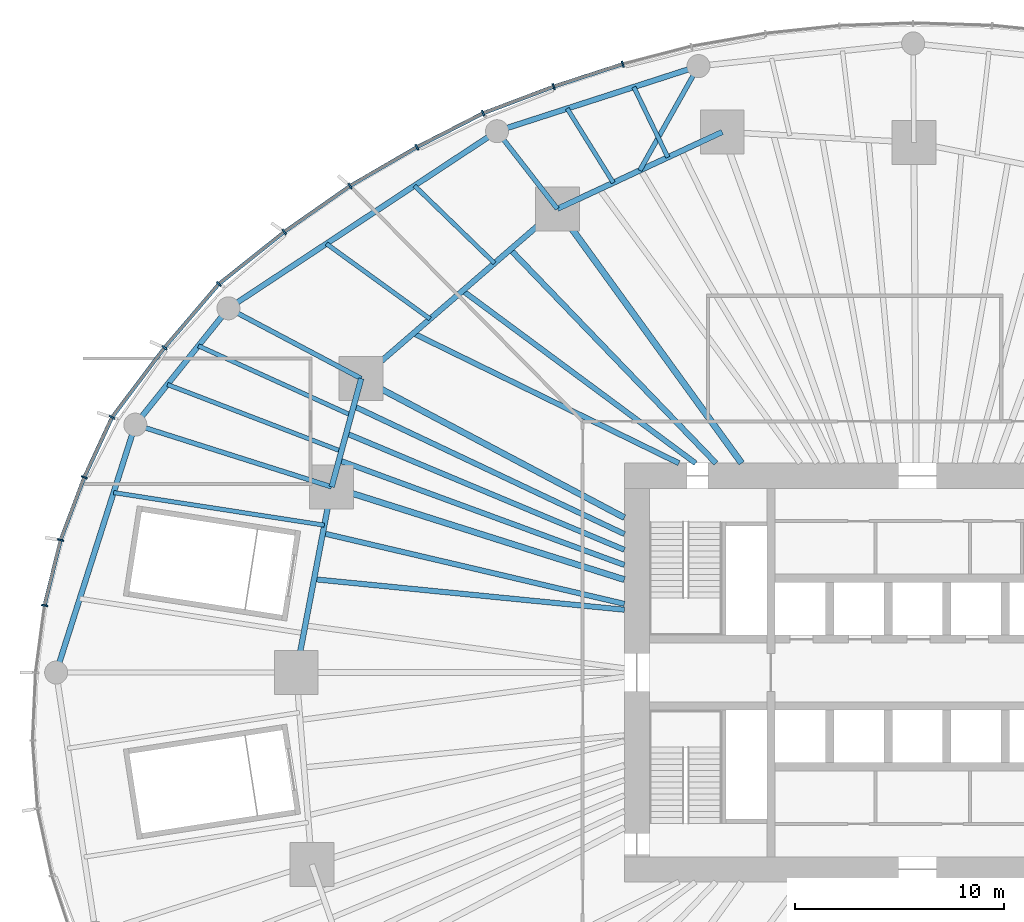
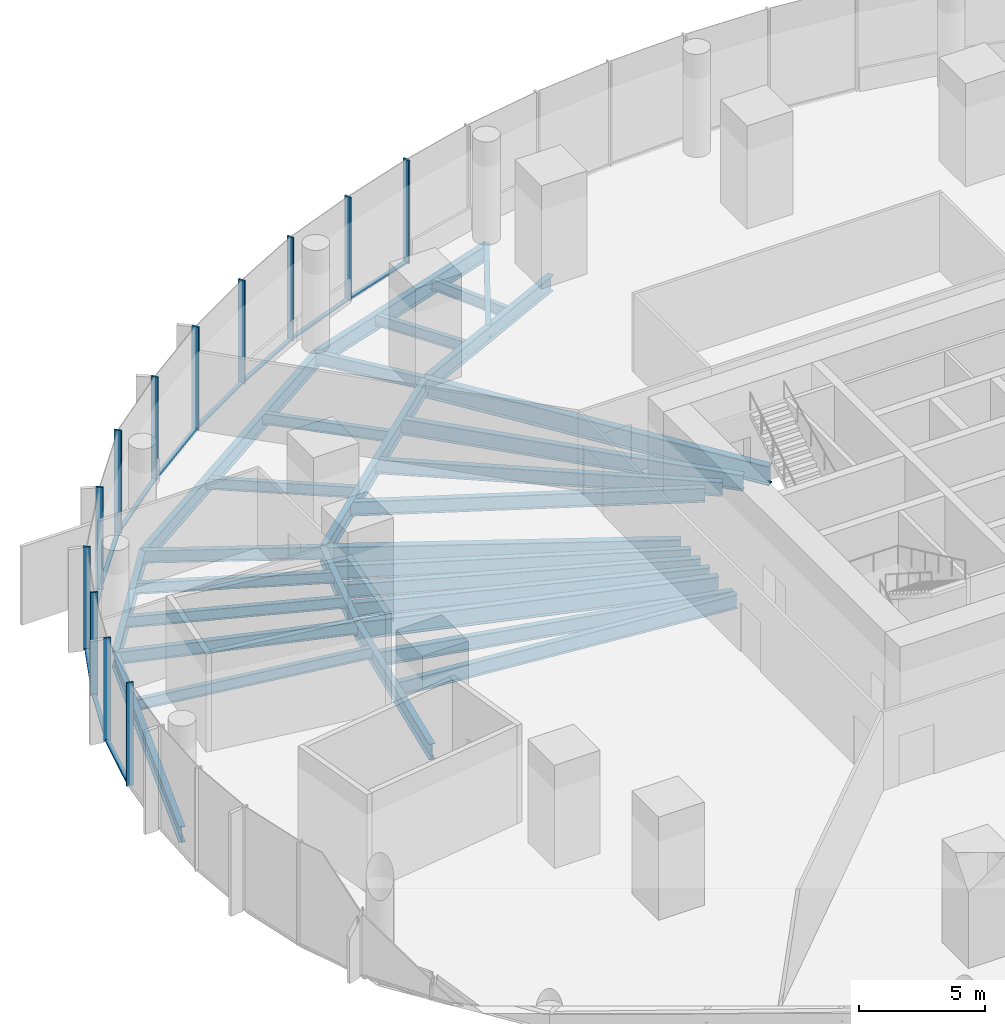
# One storey, part 5 of 27: 30 beams, 23 members, 4 elements without a shape of their own.
"""IFC4 building model written with IfcOpenShell, lengths in metres."""

import ifcopenshell
import ifcopenshell.guid

model = None  # the IFC model being written
_history = None  # IfcOwnerHistory: only IFC2X3 demands one
_inside = {}  # id of a spatial element -> (the spatial element, [elements in it])
_under = {}  # id of a project, library or spatial element -> (it, [spatial elements below it])
_declared = {}  # id of a project -> (the project, [libraries it declares])
_typed = {}  # id of a type object -> (the type object, [elements of that type])
_made_of = {}  # id of a material, layer set ... -> (it, [elements and type objects made of it])


def new_model(schema):
    """Start an empty IFC model of exactly this schema.

    Asked for "IFC4X3", IfcOpenShell would pick the latest addendum, in which some entities
    have other attributes; the version numbers below select the first issue.
    IFC2X3 requires an IfcOwnerHistory on every rooted entity: one is made here for all.
    """
    global model, _history
    if schema == "IFC4X3":
        model = ifcopenshell.file(schema_version=(4, 3, 0, 0))
    else:
        model = ifcopenshell.file(schema=schema)
    _inside.clear()
    _under.clear()
    _declared.clear()
    _typed.clear()
    _made_of.clear()
    _history = None
    if model.schema == "IFC2X3":
        org = make("IfcOrganization", Name="unknown")
        user = make(
            "IfcPersonAndOrganization",
            ThePerson=make("IfcPerson", FamilyName="unknown"),
            TheOrganization=org,
        )
        app = make(
            "IfcApplication",
            ApplicationDeveloper=org,
            Version="unknown",
            ApplicationFullName="unknown",
            ApplicationIdentifier="unknown",
        )
        _history = make(
            "IfcOwnerHistory",
            OwningUser=user,
            OwningApplication=app,
            ChangeAction="ADDED",
            CreationDate=0,
        )
    return model


def make(cls, **values):
    """One entity of the class cls with the attributes given. An attribute that is None is left unset."""
    return model.create_entity(
        cls, **{name: value for name, value in values.items() if value is not None}
    )


def rooted(cls, **values):
    """An entity with a GlobalId (a new one), such as an element, a storey or a relation."""
    return make(cls, GlobalId=ifcopenshell.guid.new(), OwnerHistory=_history, **values)


def si_unit(unit_type, name, prefix=None):
    """IfcSIUnit, for example si_unit("LENGTHUNIT", "METRE", prefix="MILLI")."""
    return make("IfcSIUnit", UnitType=unit_type, Prefix=prefix, Name=name)


def assignment(units):
    """IfcUnitAssignment: the units of a project."""
    return None if units is None else make("IfcUnitAssignment", Units=units)


def point(xyz):
    """IfcCartesianPoint."""
    return None if xyz is None else make("IfcCartesianPoint", Coordinates=xyz)


def direction(xyz):
    """IfcDirection."""
    return None if xyz is None else make("IfcDirection", DirectionRatios=xyz)


def frame(location, z_axis=None, x_axis=None):
    """IfcAxis2Placement3D, a coordinate frame: its origin and axes. An axis left out is left unset."""
    return make(
        "IfcAxis2Placement3D",
        Location=point(location),
        Axis=direction(z_axis),
        RefDirection=direction(x_axis),
    )


def frame_2d(location, x_axis=None):
    """IfcAxis2Placement2D, a coordinate frame in the plane: its origin and x axis."""
    return make(
        "IfcAxis2Placement2D", Location=point(location), RefDirection=direction(x_axis)
    )


def origin():
    """The frame at (0, 0, 0) with its axes left unset."""
    return frame((0.0, 0.0, 0.0))


def origin_2d():
    """The frame at (0, 0) in the plane with its x axis left unset."""
    return frame_2d((0.0, 0.0))


def place(relative_to, where):
    """IfcLocalPlacement: puts the frame where relative to a parent placement (None: the world)."""
    return make(
        "IfcLocalPlacement", PlacementRelTo=relative_to, RelativePlacement=where
    )


def context(
    kind, dimensions, precision=None, world=None, true_north=None, identifier=None
):
    """IfcGeometricRepresentationContext, for example the 3D "Model" context."""
    return make(
        "IfcGeometricRepresentationContext",
        ContextIdentifier=identifier,
        ContextType=kind,
        CoordinateSpaceDimension=dimensions,
        Precision=precision,
        WorldCoordinateSystem=world,
        TrueNorth=true_north,
    )


def subcontext(parent, identifier, kind, view, scale=None):
    """IfcGeometricRepresentationSubContext, for example "Body" below "Model"."""
    return make(
        "IfcGeometricRepresentationSubContext",
        ContextIdentifier=identifier,
        ContextType=kind,
        ParentContext=parent,
        TargetScale=scale,
        TargetView=view,
    )


def project(units=None, contexts=None):
    """IfcProject with its units and contexts."""
    return rooted(
        "IfcProject",
        Name="project",
        RepresentationContexts=contexts,
        UnitsInContext=assignment(units),
    )


def spatial(cls, under=None, at=None, **own):
    """A site, building, storey or space (cls), placed at a placement, below another one or the project."""
    s = rooted(cls, ObjectPlacement=at, **own)
    if under is not None:
        _under.setdefault(under.id(), (under, []))[1].append(s)
    return s


def profile(cls, at=None, kind="AREA", **sizes):
    """A parametric profile (cls). Its sizes go by their IFC names, for example OverallWidth=200.0."""
    return make(cls, ProfileType=kind, Position=at, **sizes)


def rectangle(**sizes):
    """IfcRectangleProfileDef."""
    return profile("IfcRectangleProfileDef", **sizes)


def i_section(**sizes):
    """IfcIShapeProfileDef."""
    return profile("IfcIShapeProfileDef", **sizes)


def extrude(swept, where, along, depth):
    """IfcExtrudedAreaSolid: the profile swept, set in the frame where, extruded along a direction by depth."""
    return make(
        "IfcExtrudedAreaSolid",
        SweptArea=swept,
        Position=where,
        ExtrudedDirection=direction(along),
        Depth=depth,
    )


def shape(context_of_items, identifier, shape_type, items):
    """IfcShapeRepresentation: the items that make up one representation, for example the "Body"."""
    return make(
        "IfcShapeRepresentation",
        ContextOfItems=context_of_items,
        RepresentationIdentifier=identifier,
        RepresentationType=shape_type,
        Items=items,
    )


def material(Name=None, Category=None):
    """IfcMaterial."""
    return make("IfcMaterial", Name=Name, Category=Category)


def material_profile(
    of_material, cross_section, Name=None, Category=None, Priority=None
):
    """IfcMaterialProfile: a cross section and its material."""
    return make(
        "IfcMaterialProfile",
        Name=Name,
        Material=of_material,
        Profile=cross_section,
        Priority=Priority,
        Category=Category,
    )


def profile_set(profiles, Name=None, composite=None):
    """IfcMaterialProfileSet."""
    return make(
        "IfcMaterialProfileSet",
        Name=Name,
        MaterialProfiles=profiles,
        CompositeProfile=composite,
    )


def made_of(thing, what):
    """Note that an element or type object is made of a material, layer set ...; save() writes the relation."""
    if what is not None:
        _made_of.setdefault(what.id(), (what, []))[1].append(thing)
    return thing


def type_object(cls, material=None, **own):
    """A type object (cls), such as IfcWallType, which elements share."""
    return made_of(rooted(cls, **own), material)


def element(
    cls,
    number,
    at=None,
    inside=None,
    cuts=None,
    type_object=None,
    material=None,
    context=None,
    identifier="Body",
    shape_type=None,
    held_by="IfcProductDefinitionShape",
    body=None,
    shapes=None,
    **own,
):
    """One element of the class cls, such as IfcWall. Its Tag is "e" and its number.

    at: its placement. inside: the storey or other place that contains it. cuts: it is an
    opening in that element (IfcRelVoidsElement). A single representation is given by context,
    identifier, shape_type and body (its items); several are given by shapes. held_by: the class
    of the entity that holds the representations. save() writes the other relations.
    """
    e = rooted(cls, Tag="e%d" % number, ObjectPlacement=at, **own)
    if body is not None:
        shapes = [shape(context, identifier, shape_type, body)]
    if shapes is not None:
        e.Representation = make(held_by, Representations=shapes)
    if inside is not None:
        _inside.setdefault(inside.id(), (inside, []))[1].append(e)
    if cuts is not None:
        rooted(
            "IfcRelVoidsElement", RelatingBuildingElement=cuts, RelatedOpeningElement=e
        )
    if type_object is not None:
        _typed.setdefault(type_object.id(), (type_object, []))[1].append(e)
    return made_of(e, material)


def aggregate(whole, parts):
    """IfcRelAggregates: a whole, such as a stair, and the parts it consists of."""
    return rooted("IfcRelAggregates", RelatingObject=whole, RelatedObjects=parts)


def save(model, path):
    """Write the relations noted so far, then the file.

    IfcRelAggregates (storeys below a building ...), IfcRelContainedInSpatialStructure (elements
    in a storey), IfcRelDefinesByType, IfcRelAssociatesMaterial and IfcRelDeclares: one each for
    every whole, place, type object, material and project.
    """
    for whole, parts in _under.values():
        aggregate(whole, parts)
    for where, things in _inside.values():
        rooted(
            "IfcRelContainedInSpatialStructure",
            RelatedElements=things,
            RelatingStructure=where,
        )
    for kind, things in _typed.values():
        rooted("IfcRelDefinesByType", RelatedObjects=things, RelatingType=kind)
    for what, things in _made_of.values():
        rooted("IfcRelAssociatesMaterial", RelatedObjects=things, RelatingMaterial=what)
    for by, libraries in _declared.values():
        rooted("IfcRelDeclares", RelatingContext=by, RelatedDefinitions=libraries)
    model.write(path)


model = new_model("IFC4")

# Units and contexts
model_context = context("Model", 3, precision=1e-05, world=origin(), true_north=direction((0.0, 1.0)))
body_context = subcontext(model_context, "Body", "Model", "MODEL_VIEW")
ifc_project = project(units=[si_unit("LENGTHUNIT", "METRE"), si_unit("AREAUNIT", "SQUARE_METRE"), si_unit("VOLUMEUNIT", "CUBIC_METRE"), si_unit("PLANEANGLEUNIT", "RADIAN"), si_unit("MASSUNIT", "GRAM", prefix="KILO")], contexts=[model_context])

# Site, building, storey
site_placement = place(None, origin())
site = spatial("IfcSite", under=ifc_project, at=site_placement, CompositionType="ELEMENT")
building_placement = place(site_placement, origin())
building = spatial("IfcBuilding", under=site, at=building_placement, Name="Ghaith Harvest Tower", CompositionType="ELEMENT")
storey_placement = place(building_placement, frame((0.0, 0.0, 10.0)))
storey = spatial("IfcBuildingStorey", under=building, at=storey_placement, Name="L02", CompositionType="ELEMENT", Elevation=10.0)

# Curtain wall, members
ifc_material_1 = material(Name="Black anodised aluminium and fritted glass", Category="aluminium")
curtain_wall_type = type_object("IfcCurtainWallType", Name="CW-P CURTAIN WALL", PredefinedType="NOTDEFINED", material=ifc_material_1)
curtain_wall_1_placement = place(storey_placement, origin())
curtain_wall_1 = element("IfcCurtainWall", 1, at=curtain_wall_1_placement, inside=storey, type_object=curtain_wall_type, Name="Curtain wall CW-P bay 07 L02", PredefinedType="NOTDEFINED")
ifc_material_2 = material(Name="Aluminium, black anodised", Category="aluminium")
ifc_material_profile_1 = material_profile(ifc_material_2, rectangle(XDim=0.080078125, YDim=0.300048828125, at=origin_2d()), Name="CW-P MULLION 80x300")
ifc_profile_set_1 = profile_set([ifc_material_profile_1], Name="Aluminium, black anodised")
member_type_1 = type_object("IfcMemberType", Name="CW-P MULLION 80x300", PredefinedType="MULLION", material=ifc_profile_set_1)
member_1_placement = place(storey_placement, frame((-14.079345703125, 29.059326171875, 0.0), z_axis=(0.0, 0.0, 1.0), x_axis=(-0.959733294702, -0.280912803269, 0.0)))
member_1 = element("IfcMember", 2, at=member_1_placement, type_object=member_type_1, Name="CW-P mullion 2 bay 07 L02", PredefinedType="MULLION", context=body_context, shape_type="SweptSolid", body=[
    extrude(rectangle(XDim=0.080078125, YDim=0.300048828125, at=origin_2d()), origin(), (0.0, 0.0, 1.0), 5.0),
])
member_2_placement = place(storey_placement, frame((-17.3798828125, 27.984619140625, 0.0), z_axis=(0.0, 0.0, 1.0), x_axis=(-0.94334262974, -0.331820256939, 0.0)))
member_2 = element("IfcMember", 3, at=member_2_placement, type_object=member_type_1, Name="CW-P mullion 3 bay 07 L02", PredefinedType="MULLION", context=body_context, shape_type="SweptSolid", body=[
    extrude(rectangle(XDim=0.080078125, YDim=0.300048828125, at=origin_2d()), origin(), (0.0, 0.0, 1.0), 5.0),
])

curtain_wall_2_placement = place(storey_placement, origin())
curtain_wall_2 = element("IfcCurtainWall", 4, at=curtain_wall_2_placement, inside=storey, type_object=curtain_wall_type, Name="Curtain wall CW-P bay 08 L02", PredefinedType="NOTDEFINED")
member_3_placement = place(storey_placement, frame((-20.7470703125, 26.714111328125, 0.0), z_axis=(0.0, 0.0, 1.0), x_axis=(-0.914421812296, -0.404762583741, 0.0)))
member_3 = element("IfcMember", 5, at=member_3_placement, type_object=member_type_1, Name="CW-P mullion 1 bay 08 L02", PredefinedType="MULLION", context=body_context, shape_type="SweptSolid", body=[
    extrude(rectangle(XDim=0.080078125, YDim=0.300048828125, at=origin_2d()), origin(), (0.0, 0.0, 1.0), 5.0),
])
member_4_placement = place(storey_placement, frame((-23.907958984375, 25.094970703125, 0.0), z_axis=(0.0, 0.0, 1.0), x_axis=(-0.877556447105, -0.479473338304, 0.0)))
member_4 = element("IfcMember", 6, at=member_4_placement, type_object=member_type_1, Name="CW-P mullion 2 bay 08 L02", PredefinedType="MULLION", context=body_context, shape_type="SweptSolid", body=[
    extrude(rectangle(XDim=0.080078125, YDim=0.300048828125, at=origin_2d()), origin(), (0.0, 0.0, 1.0), 5.0),
])
member_5_placement = place(storey_placement, frame((-27.105712890625, 23.23974609375, 0.0), z_axis=(0.0, 0.0, 1.0), x_axis=(-0.842539326136, -0.538634833551, 0.0)))
member_5 = element("IfcMember", 7, at=member_5_placement, type_object=member_type_1, Name="CW-P mullion 3 bay 08 L02", PredefinedType="MULLION", context=body_context, shape_type="SweptSolid", body=[
    extrude(rectangle(XDim=0.080078125, YDim=0.300048828125, at=origin_2d()), origin(), (0.0, 0.0, 1.0), 5.0),
])

curtain_wall_3_placement = place(storey_placement, origin())
curtain_wall_3 = element("IfcCurtainWall", 8, at=curtain_wall_3_placement, inside=storey, type_object=curtain_wall_type, Name="Curtain wall CW-P bay 09 L02", PredefinedType="NOTDEFINED")
member_6_placement = place(storey_placement, frame((-30.244140625, 21.044189453125, 0.0), z_axis=(0.0, 0.0, 1.0), x_axis=(-0.801048242274, -0.598599794144, 0.0)))
member_6 = element("IfcMember", 9, at=member_6_placement, type_object=member_type_1, Name="CW-P mullion 1 bay 09 L02", PredefinedType="MULLION", context=body_context, shape_type="SweptSolid", body=[
    extrude(rectangle(XDim=0.080078125, YDim=0.300048828125, at=origin_2d()), origin(), (0.0, 0.0, 1.0), 5.0),
])
member_7_placement = place(storey_placement, frame((-33.369384765625, 18.559326171875, 0.0), z_axis=(0.0, 0.0, 1.0), x_axis=(-0.719189125668, -0.694814364792, 0.0)))
member_7 = element("IfcMember", 10, at=member_7_placement, type_object=member_type_1, Name="CW-P mullion 2 bay 09 L02", PredefinedType="MULLION", context=body_context, shape_type="SweptSolid", body=[
    extrude(rectangle(XDim=0.080078125, YDim=0.300048828125, at=origin_2d()), origin(), (0.0, 0.0, 1.0), 5.0),
])
member_8_placement = place(storey_placement, frame((-35.967529296875, 15.5146484375, 0.0), z_axis=(0.0, 0.0, 1.0), x_axis=(-0.625229278886, -0.780441124509, 0.0)))
member_8 = element("IfcMember", 11, at=member_8_placement, type_object=member_type_1, Name="CW-P mullion 3 bay 09 L02", PredefinedType="MULLION", context=body_context, shape_type="SweptSolid", body=[
    extrude(rectangle(XDim=0.080078125, YDim=0.300048828125, at=origin_2d()), origin(), (0.0, 0.0, 1.0), 5.0),
])

curtain_wall_4_placement = place(storey_placement, origin())
curtain_wall_4 = element("IfcCurtainWall", 12, at=curtain_wall_4_placement, inside=storey, type_object=curtain_wall_type, Name="Curtain wall CW-P bay 10 L02", PredefinedType="NOTDEFINED")
member_9_placement = place(storey_placement, frame((-38.47021484375, 12.19189453125, 0.0), z_axis=(0.0, 0.0, 1.0), x_axis=(-0.526041997483, -0.850458592104, 0.0)))
member_9 = element("IfcMember", 13, at=member_9_placement, type_object=member_type_1, Name="CW-P mullion 1 bay 10 L02", PredefinedType="MULLION", context=body_context, shape_type="SweptSolid", body=[
    extrude(rectangle(XDim=0.080078125, YDim=0.300048828125, at=origin_2d()), origin(), (0.0, 0.0, 1.0), 5.0),
])
member_10_placement = place(storey_placement, frame((-39.7958984375, 9.325439453125, 0.0), z_axis=(0.0, 0.0, 1.0), x_axis=(-0.386148009644, -0.922436835045, 0.0)))
member_10 = element("IfcMember", 14, at=member_10_placement, type_object=member_type_1, Name="CW-P mullion 2 bay 10 L02", PredefinedType="MULLION", context=body_context, shape_type="SweptSolid", body=[
    extrude(rectangle(XDim=0.080078125, YDim=0.300048828125, at=origin_2d()), origin(), (0.0, 0.0, 1.0), 5.0),
])
member_11_placement = place(storey_placement, frame((-40.92431640625, 6.32958984375, 0.0), z_axis=(0.0, 0.0, 1.0), x_axis=(-0.295966287387, -0.955198386059, 0.0)))
member_11 = element("IfcMember", 15, at=member_11_placement, type_object=member_type_1, Name="CW-P mullion 3 bay 10 L02", PredefinedType="MULLION", context=body_context, shape_type="SweptSolid", body=[
    extrude(rectangle(XDim=0.080078125, YDim=0.300048828125, at=origin_2d()), origin(), (0.0, 0.0, 1.0), 5.0),
])
member_12_placement = place(storey_placement, frame((-41.6923828125, 3.205078125, 0.0), z_axis=(0.0, 0.0, 1.0), x_axis=(-0.185617368048, -0.982622100647, 0.0)))
member_12 = element("IfcMember", 16, at=member_12_placement, type_object=member_type_1, Name="CW-P mullion 4 bay 10 L02", PredefinedType="MULLION", context=body_context, shape_type="SweptSolid", body=[
    extrude(rectangle(XDim=0.080078125, YDim=0.300048828125, at=origin_2d()), origin(), (0.0, 0.0, 1.0), 5.0),
])

# Member
ifc_material_3 = material(Name="Aluminium, black anodised", Category="aluminium")
ifc_material_profile_2 = material_profile(ifc_material_3, rectangle(XDim=0.179931640625, YDim=0.080078125, at=origin_2d()), Name="CW-P TRANSOM 180x80")
ifc_profile_set_2 = profile_set([ifc_material_profile_2], Name="Aluminium, black anodised")
member_type_2 = type_object("IfcMemberType", Name="CW-P TRANSOM 180x80", PredefinedType="USERDEFINED", material=ifc_profile_set_2)
member_13_placement = place(storey_placement, frame((-14.117431640625, 29.046875, 0.0400390625), z_axis=(-0.950870445698, -0.309589075225, 0.0), x_axis=(0.309589075225, -0.950870445698, 0.0)))
member_13 = element("IfcMember", 17, at=member_13_placement, type_object=member_type_2, Name="CW-P transom 2 bay 07 L02", ObjectType="TRANSOM", PredefinedType="USERDEFINED", context=body_context, shape_type="SweptSolid", body=[
    extrude(rectangle(XDim=0.179931640625, YDim=0.080078125, at=origin_2d()), origin(), (0.0, 0.0, 1.0), 3.390869140625),
])

member_14_placement = place(storey_placement, frame((-17.417236328125, 27.970458984375, 0.0400390625), z_axis=(-0.935603016094, -0.353053814986, 0.0), x_axis=(0.353053814986, -0.935603016094, 0.0)))
member_14 = element("IfcMember", 18, at=member_14_placement, type_object=member_type_2, Name="CW-P transom 3 bay 07 L02", ObjectType="TRANSOM", PredefinedType="USERDEFINED", context=body_context, shape_type="SweptSolid", body=[
    extrude(rectangle(XDim=0.179931640625, YDim=0.080078125, at=origin_2d()), origin(), (0.0, 0.0, 1.0), 3.51904296875),
])

aggregate(curtain_wall_1, [member_1, member_13, member_2, member_14])

member_15_placement = place(storey_placement, frame((-20.78271484375, 26.69580078125, 0.0400390625), z_axis=(-0.890024573392, -0.455912556044, 0.0), x_axis=(0.455912556044, -0.890024573392, 0.0)))
member_15 = element("IfcMember", 19, at=member_15_placement, type_object=member_type_2, Name="CW-P transom 1 bay 08 L02", ObjectType="TRANSOM", PredefinedType="USERDEFINED", context=body_context, shape_type="SweptSolid", body=[
    extrude(rectangle(XDim=0.179931640625, YDim=0.080078125, at=origin_2d()), origin(), (0.0, 0.0, 1.0), 3.4716796875),
])

member_16_placement = place(storey_placement, frame((-23.942626953125, 25.07470703125, 0.0400390625), z_axis=(-0.864976107241, -0.501813046764, 0.0), x_axis=(0.501813046764, -0.864976107241, 0.0)))
member_16 = element("IfcMember", 20, at=member_16_placement, type_object=member_type_2, Name="CW-P transom 2 bay 08 L02", ObjectType="TRANSOM", PredefinedType="USERDEFINED", context=body_context, shape_type="SweptSolid", body=[
    extrude(rectangle(XDim=0.179931640625, YDim=0.080078125, at=origin_2d()), origin(), (0.0, 0.0, 1.0), 3.61669921875),
])

member_17_placement = place(storey_placement, frame((-27.138427734375, 23.216796875, 0.0400390625), z_axis=(-0.819412324627, -0.573204537883, 0.0), x_axis=(0.573204537883, -0.819412324627, 0.0)))
member_17 = element("IfcMember", 21, at=member_17_placement, type_object=member_type_2, Name="CW-P transom 3 bay 08 L02", ObjectType="TRANSOM", PredefinedType="USERDEFINED", context=body_context, shape_type="SweptSolid", body=[
    extrude(rectangle(XDim=0.179931640625, YDim=0.080078125, at=origin_2d()), origin(), (0.0, 0.0, 1.0), 3.750244140625),
])

aggregate(curtain_wall_2, [member_3, member_15, member_4, member_16, member_5, member_17])

member_18_placement = place(storey_placement, frame((-30.275634765625, 21.019287109375, 0.0400390625), z_axis=(-0.782703993378, -0.622394134573, 0.0), x_axis=(0.622394134573, -0.782703993378, 0.0)))
member_18 = element("IfcMember", 22, at=member_18_placement, type_object=member_type_2, Name="CW-P transom 1 bay 09 L02", ObjectType="TRANSOM", PredefinedType="USERDEFINED", context=body_context, shape_type="SweptSolid", body=[
    extrude(rectangle(XDim=0.179931640625, YDim=0.080078125, at=origin_2d()), origin(), (0.0, 0.0, 1.0), 3.912353515625),
])

member_19_placement = place(storey_placement, frame((-33.395263671875, 18.52880859375, 0.0400390625), z_axis=(-0.649170170726, -0.760643207713, 0.0), x_axis=(0.760643207713, -0.649170170726, 0.0)))
member_19 = element("IfcMember", 23, at=member_19_placement, type_object=member_type_2, Name="CW-P transom 2 bay 09 L02", ObjectType="TRANSOM", PredefinedType="USERDEFINED", context=body_context, shape_type="SweptSolid", body=[
    extrude(rectangle(XDim=0.179931640625, YDim=0.080078125, at=origin_2d()), origin(), (0.0, 0.0, 1.0), 3.922607421875),
])

member_20_placement = place(storey_placement, frame((-35.99169921875, 15.482666015625, 0.0400390625), z_axis=(-0.601645564397, -0.798763178195, 0.0), x_axis=(0.798763178195, -0.601645564397, 0.0)))
member_20 = element("IfcMember", 24, at=member_20_placement, type_object=member_type_2, Name="CW-P transom 3 bay 09 L02", ObjectType="TRANSOM", PredefinedType="USERDEFINED", context=body_context, shape_type="SweptSolid", body=[
    extrude(rectangle(XDim=0.179931640625, YDim=0.080078125, at=origin_2d()), origin(), (0.0, 0.0, 1.0), 4.079833984375),
])

aggregate(curtain_wall_3, [member_6, member_18, member_7, member_19, member_8, member_20])

member_21_placement = place(storey_placement, frame((-38.487060546875, 12.155517578125, 0.0400390625), z_axis=(-0.419752186431, -0.907638750818, 0.0), x_axis=(0.907638750818, -0.419752186431, 0.0)))
member_21 = element("IfcMember", 25, at=member_21_placement, type_object=member_type_2, Name="CW-P transom 1 bay 10 L02", ObjectType="TRANSOM", PredefinedType="USERDEFINED", context=body_context, shape_type="SweptSolid", body=[
    extrude(rectangle(XDim=0.179931640625, YDim=0.080078125, at=origin_2d()), origin(), (0.0, 0.0, 1.0), 3.077880859375),
])

member_22_placement = place(storey_placement, frame((-39.81005859375, 9.2880859375, 0.0400390625), z_axis=(-0.352460327868, -0.935826756018, 0.0), x_axis=(0.935826756018, -0.352460327868, 0.0)))
member_22 = element("IfcMember", 26, at=member_22_placement, type_object=member_type_2, Name="CW-P transom 2 bay 10 L02", ObjectType="TRANSOM", PredefinedType="USERDEFINED", context=body_context, shape_type="SweptSolid", body=[
    extrude(rectangle(XDim=0.179931640625, YDim=0.080078125, at=origin_2d()), origin(), (0.0, 0.0, 1.0), 3.12109375),
])

member_23_placement = place(storey_placement, frame((-40.933837890625, 6.290771484375, 0.0400390625), z_axis=(-0.238743611692, -0.971082636997, 0.0), x_axis=(0.971082636997, -0.238743611692, 0.0)))
member_23 = element("IfcMember", 27, at=member_23_placement, type_object=member_type_2, Name="CW-P transom 3 bay 10 L02", ObjectType="TRANSOM", PredefinedType="USERDEFINED", context=body_context, shape_type="SweptSolid", body=[
    extrude(rectangle(XDim=0.179931640625, YDim=0.080078125, at=origin_2d()), origin(), (0.0, 0.0, 1.0), 3.137451171875),
])

aggregate(curtain_wall_4, [member_9, member_21, member_10, member_22, member_11, member_23, member_12])

# Beams
ifc_material_4 = material(Name="Steel ASTM A992 Grade 50", Category="steel")
ifc_material_profile_3 = material_profile(ifc_material_4, i_section(OverallWidth=0.26806640625, OverallDepth=0.77001953125, WebThickness=0.015625, FlangeThickness=0.025390625, at=origin_2d()), Name="W760X196")
ifc_profile_set_3 = profile_set([ifc_material_profile_3], Name="Steel ASTM A992 Grade 50")
beam_type_1 = type_object("IfcBeamType", Name="E760-196 W760X196", PredefinedType="SPANDREL", material=ifc_profile_set_3)
beam_1_placement = place(storey_placement, frame((-9.325927734375, 25.821044921875, -0.635009765625), z_axis=(-0.906373259523, -0.422477827137, 0.0), x_axis=(0.422477827137, -0.906373259523, 0.0)))
element("IfcBeam", 28, at=beam_1_placement, inside=storey, type_object=beam_type_1, Name="Edge beam E07 L02", PredefinedType="SPANDREL", context=body_context, shape_type="SweptSolid", body=[
    extrude(i_section(OverallWidth=0.26806640625, OverallDepth=0.77001953125, WebThickness=0.015625, FlangeThickness=0.025390625, at=origin_2d()), origin(), (0.0, 0.0, 1.0), 8.689453125),
])
beam_2_placement = place(storey_placement, frame((-17.201904296875, 22.14990234375, -0.635009765625), z_axis=(-0.756392158274, -0.654118416574, 0.0), x_axis=(0.654118416574, -0.756392158274, 0.0)))
element("IfcBeam", 29, at=beam_2_placement, inside=storey, type_object=beam_type_1, Name="Edge beam E08 L02", PredefinedType="SPANDREL", context=body_context, shape_type="SweptSolid", body=[
    extrude(i_section(OverallWidth=0.26806640625, OverallDepth=0.77001953125, WebThickness=0.015625, FlangeThickness=0.025390625, at=origin_2d()), origin(), (0.0, 0.0, 1.0), 12.38916015625),
])
beam_3_placement = place(storey_placement, frame((-26.572998046875, 14.0458984375, -0.635009765625), z_axis=(-0.262724740433, -0.964870825947, 0.0), x_axis=(0.964870825947, -0.262724740433, 0.0)))
element("IfcBeam", 30, at=beam_3_placement, inside=storey, type_object=beam_type_1, Name="Edge beam E09 L02", PredefinedType="SPANDREL", context=body_context, shape_type="SweptSolid", body=[
    extrude(i_section(OverallWidth=0.26806640625, OverallDepth=0.77001953125, WebThickness=0.015625, FlangeThickness=0.025390625, at=origin_2d()), origin(), (0.0, 0.0, 1.0), 5.366455078125),
])
beam_4_placement = place(storey_placement, frame((-27.98291015625, 8.867919921875, -0.635009765625), z_axis=(-0.187433949108, -0.982277208695, 0.0), x_axis=(0.982277208695, -0.187433949108, 0.0)))
element("IfcBeam", 31, at=beam_4_placement, inside=storey, type_object=beam_type_1, Name="Edge beam E10 L02", PredefinedType="SPANDREL", context=body_context, shape_type="SweptSolid", body=[
    extrude(i_section(OverallWidth=0.26806640625, OverallDepth=0.77001953125, WebThickness=0.015625, FlangeThickness=0.025390625, at=origin_2d()), origin(), (0.0, 0.0, 1.0), 9.02783203125),
])
beam_5_placement = place(storey_placement, frame((-10.4619140625, 28.967041015625, -0.635009765625), z_axis=(-0.951538911148, -0.307528373603, 0.0), x_axis=(0.307528373603, -0.951538911148, 0.0)))
element("IfcBeam", 32, at=beam_5_placement, inside=storey, type_object=beam_type_1, Name="Podium edge beam PE07 L02", PredefinedType="SPANDREL", context=body_context, shape_type="SweptSolid", body=[
    extrude(i_section(OverallWidth=0.26806640625, OverallDepth=0.77001953125, WebThickness=0.015625, FlangeThickness=0.025390625, at=origin_2d()), origin(), (0.0, 0.0, 1.0), 10.110107421875),
])
beam_6_placement = place(storey_placement, frame((-20.08203125, 25.85791015625, -0.635009765625), z_axis=(-0.834903131348, -0.550396912478, 0.0), x_axis=(0.550396912478, -0.834903131348, 0.0)))
element("IfcBeam", 33, at=beam_6_placement, inside=storey, type_object=beam_type_1, Name="Podium edge beam PE08 L02", PredefinedType="SPANDREL", context=body_context, shape_type="SweptSolid", body=[
    extrude(i_section(OverallWidth=0.26806640625, OverallDepth=0.77001953125, WebThickness=0.015625, FlangeThickness=0.025390625, at=origin_2d()), origin(), (0.0, 0.0, 1.0), 15.37060546875),
])
beam_7_placement = place(storey_placement, frame((-32.9150390625, 17.39794921875, -0.635009765625), z_axis=(-0.624908352368, -0.780698117803, 0.0), x_axis=(0.780698117803, -0.624908352368, 0.0)))
element("IfcBeam", 34, at=beam_7_placement, inside=storey, type_object=beam_type_1, Name="Podium edge beam PE09 L02", PredefinedType="SPANDREL", context=body_context, shape_type="SweptSolid", body=[
    extrude(i_section(OverallWidth=0.26806640625, OverallDepth=0.77001953125, WebThickness=0.015625, FlangeThickness=0.025390625, at=origin_2d()), origin(), (0.0, 0.0, 1.0), 7.117919921875),
])
beam_8_placement = place(storey_placement, frame((-37.363037109375, 11.841064453125, -0.635009765625), z_axis=(-0.304039415226, -0.952659453314, 0.0), x_axis=(0.952659453314, -0.304039415226, 0.0)))
element("IfcBeam", 35, at=beam_8_placement, inside=storey, type_object=beam_type_1, Name="Podium edge beam PE10 L02", PredefinedType="SPANDREL", context=body_context, shape_type="SweptSolid", body=[
    extrude(i_section(OverallWidth=0.26806640625, OverallDepth=0.77001953125, WebThickness=0.015625, FlangeThickness=0.025390625, at=origin_2d()), origin(), (0.0, 0.0, 1.0), 12.429443359375),
])
ifc_material_5 = material(Name="Steel ASTM A992 Grade 50", Category="steel")
ifc_material_profile_4 = material_profile(ifc_material_5, i_section(OverallWidth=0.22802734375, OverallDepth=0.60302734375, WebThickness=0.010498046875, FlangeThickness=0.014892578125, at=origin_2d()), Name="W610X101")
ifc_profile_set_4 = profile_set([ifc_material_profile_4], Name="Steel ASTM A992 Grade 50")
beam_type_2 = type_object("IfcBeamType", Name="G610-101 W610X101", PredefinedType="BEAM", material=ifc_profile_set_4)
beam_9_placement = place(storey_placement, frame((-13.263916015625, 23.985595703125, -0.551513671875), z_axis=(0.490253127348, 0.871580100235, 0.0), x_axis=(-0.871580100235, 0.490253127348, 0.0)))
element("IfcBeam", 36, at=beam_9_placement, inside=storey, type_object=beam_type_2, Name="Podium radial beam PR07 L02", PredefinedType="BEAM", context=body_context, shape_type="SweptSolid", body=[
    extrude(i_section(OverallWidth=0.22802734375, OverallDepth=0.60302734375, WebThickness=0.010498046875, FlangeThickness=0.014892578125, at=origin_2d()), origin(), (0.0, 0.0, 1.0), 5.71533203125),
])
beam_10_placement = place(storey_placement, frame((-17.201904296875, 22.14990234375, -0.551513671875), z_axis=(-0.613425698315, 0.789752437569, 0.0), x_axis=(-0.789752437569, -0.613425698315, 0.0)))
element("IfcBeam", 37, at=beam_10_placement, inside=storey, type_object=beam_type_2, Name="Podium radial beam PR08 L02", PredefinedType="BEAM", context=body_context, shape_type="SweptSolid", body=[
    extrude(i_section(OverallWidth=0.22802734375, OverallDepth=0.60302734375, WebThickness=0.010498046875, FlangeThickness=0.014892578125, at=origin_2d()), origin(), (0.0, 0.0, 1.0), 4.695068359375),
])
beam_11_placement = place(storey_placement, frame((-26.572998046875, 14.0458984375, -0.551513671875), z_axis=(-0.8841047828, 0.467288704155, 0.0), x_axis=(-0.467288704155, -0.8841047828, 0.0)))
element("IfcBeam", 38, at=beam_11_placement, inside=storey, type_object=beam_type_2, Name="Podium radial beam PR09 L02", PredefinedType="BEAM", context=body_context, shape_type="SweptSolid", body=[
    extrude(i_section(OverallWidth=0.22802734375, OverallDepth=0.60302734375, WebThickness=0.010498046875, FlangeThickness=0.014892578125, at=origin_2d()), origin(), (0.0, 0.0, 1.0), 7.17333984375),
])
beam_12_placement = place(storey_placement, frame((-27.98291015625, 8.867919921875, -0.551513671875), z_axis=(-0.953261143594, 0.302147632979, 0.0), x_axis=(-0.302147632979, -0.953261143594, 0.0)))
element("IfcBeam", 39, at=beam_12_placement, inside=storey, type_object=beam_type_2, Name="Podium radial beam PR10 L02", PredefinedType="BEAM", context=body_context, shape_type="SweptSolid", body=[
    extrude(i_section(OverallWidth=0.22802734375, OverallDepth=0.60302734375, WebThickness=0.010498046875, FlangeThickness=0.014892578125, at=origin_2d()), origin(), (0.0, 0.0, 1.0), 9.840087890625),
])
ifc_material_6 = material(Name="Steel ASTM A992 Grade 50", Category="steel")
ifc_material_profile_5 = material_profile(ifc_material_6, i_section(OverallWidth=0.2939453125, OverallDepth=0.85107421875, WebThickness=0.01611328125, FlangeThickness=0.02685546875, at=origin_2d()), Name="W840X226")
ifc_profile_set_5 = profile_set([ifc_material_profile_5], Name="Steel ASTM A992 Grade 50")
beam_type_3 = type_object("IfcBeamType", Name="G840-226 W840X226", PredefinedType="BEAM", material=ifc_profile_set_5)
beam_13_placement = place(storey_placement, frame((-14.0, 7.39990234375, -0.675537109375), z_axis=(-0.88408713845, 0.467322085533, 0.0), x_axis=(-0.467322085533, -0.88408713845, 0.0)))
element("IfcBeam", 40, at=beam_13_placement, inside=storey, type_object=beam_type_3, Name="Radial girder G09 L02", PredefinedType="BEAM", context=body_context, shape_type="SweptSolid", body=[
    extrude(i_section(OverallWidth=0.2939453125, OverallDepth=0.85107421875, WebThickness=0.01611328125, FlangeThickness=0.02685546875, at=origin_2d()), origin(), (0.0, 0.0, 1.0), 14.221435546875),
])
beam_14_placement = place(storey_placement, frame((-14.0, 4.43701171875, -0.675537109375), z_axis=(-0.953283605796, 0.302076756671, 0.0), x_axis=(-0.302076756671, -0.953283605796, 0.0)))
element("IfcBeam", 41, at=beam_14_placement, inside=storey, type_object=beam_type_3, Name="Radial girder G10 L02", PredefinedType="BEAM", context=body_context, shape_type="SweptSolid", body=[
    extrude(i_section(OverallWidth=0.2939453125, OverallDepth=0.85107421875, WebThickness=0.01611328125, FlangeThickness=0.02685546875, at=origin_2d()), origin(), (0.0, 0.0, 1.0), 14.668212890625),
])
ifc_material_7 = material(Name="Steel ASTM A992 Grade 50", Category="steel")
ifc_material_profile_6 = material_profile(ifc_material_7, i_section(OverallWidth=0.31005859375, OverallDepth=0.927001953125, WebThickness=0.019287109375, FlangeThickness=0.031982421875, at=origin_2d()), Name="W920X289")
ifc_profile_set_6 = profile_set([ifc_material_profile_6], Name="Steel ASTM A992 Grade 50")
beam_type_4 = type_object("IfcBeamType", Name="G920-289 W920X289", PredefinedType="BEAM", material=ifc_profile_set_6)
beam_15_placement = place(storey_placement, frame((-8.39990234375, 10.0, -0.71337890625), z_axis=(-0.586675813287, 0.809821887889, 0.0), x_axis=(-0.809821887889, -0.586675813287, 0.0)))
element("IfcBeam", 42, at=beam_15_placement, inside=storey, type_object=beam_type_4, Name="Radial girder G08 L02", PredefinedType="BEAM", context=body_context, shape_type="SweptSolid", body=[
    extrude(i_section(OverallWidth=0.31005859375, OverallDepth=0.927001953125, WebThickness=0.019287109375, FlangeThickness=0.031982421875, at=origin_2d()), origin(), (0.0, 0.0, 1.0), 15.003173828125),
])
ifc_material_8 = material(Name="Steel ASTM A992 Grade 50", Category="steel")
ifc_material_profile_7 = material_profile(ifc_material_8, i_section(OverallWidth=0.208984375, OverallDepth=0.532958984375, WebThickness=0.01025390625, FlangeThickness=0.015625, at=origin_2d()), Name="W530X92")
ifc_profile_set_7 = profile_set([ifc_material_profile_7], Name="Steel ASTM A992 Grade 50")
beam_type_5 = type_object("IfcBeamType", Name="J530-92 W530X92", PredefinedType="JOIST", material=ifc_profile_set_7)
beam_16_placement = place(storey_placement, frame((-11.923828125, 24.610107421875, -0.5166015625), z_axis=(-0.436005446991, 0.899944026145, 0.0), x_axis=(-0.899944026145, -0.436005446991, 0.0)))
element("IfcBeam", 43, at=beam_16_placement, inside=storey, type_object=beam_type_5, Name="Podium joist PJ07.1 L02", PredefinedType="JOIST", context=body_context, shape_type="SweptSolid", body=[
    extrude(i_section(OverallWidth=0.208984375, OverallDepth=0.532958984375, WebThickness=0.01025390625, FlangeThickness=0.015625, at=origin_2d()), origin(), (0.0, 0.0, 1.0), 3.732177734375),
])
beam_17_placement = place(storey_placement, frame((-14.52978515625, 23.3955078125, -0.5166015625), z_axis=(-0.527546331282, 0.849526261131, 0.0), x_axis=(-0.849526261131, -0.527546331282, 0.0)))
element("IfcBeam", 44, at=beam_17_placement, inside=storey, type_object=beam_type_5, Name="Podium joist PJ07.2 L02", PredefinedType="JOIST", context=body_context, shape_type="SweptSolid", body=[
    extrude(i_section(OverallWidth=0.208984375, OverallDepth=0.532958984375, WebThickness=0.01025390625, FlangeThickness=0.015625, at=origin_2d()), origin(), (0.0, 0.0, 1.0), 4.17333984375),
])
beam_18_placement = place(storey_placement, frame((-20.203857421875, 19.55419921875, -0.5166015625), z_axis=(-0.718570348361, 0.695454279199, 0.0), x_axis=(-0.695454279199, -0.718570348361, 0.0)))
element("IfcBeam", 45, at=beam_18_placement, inside=storey, type_object=beam_type_5, Name="Podium joist PJ08.1 L02", PredefinedType="JOIST", context=body_context, shape_type="SweptSolid", body=[
    extrude(i_section(OverallWidth=0.208984375, OverallDepth=0.532958984375, WebThickness=0.01025390625, FlangeThickness=0.015625, at=origin_2d()), origin(), (0.0, 0.0, 1.0), 5.322998046875),
])
beam_19_placement = place(storey_placement, frame((-23.2822265625, 16.891845703125, -0.5166015625), z_axis=(-0.809415524638, 0.587236331025, 0.0), x_axis=(-0.587236331025, -0.809415524638, 0.0)))
element("IfcBeam", 46, at=beam_19_placement, inside=storey, type_object=beam_type_5, Name="Podium joist PJ08.2 L02", PredefinedType="JOIST", context=body_context, shape_type="SweptSolid", body=[
    extrude(i_section(OverallWidth=0.208984375, OverallDepth=0.532958984375, WebThickness=0.01025390625, FlangeThickness=0.015625, at=origin_2d()), origin(), (0.0, 0.0, 1.0), 6.1171875),
])
beam_20_placement = place(storey_placement, frame((-27.051025390625, 12.29052734375, -0.5166015625), z_axis=(-0.910432176639, 0.413658375644, 0.0), x_axis=(-0.413658375644, -0.910432176639, 0.0)))
element("IfcBeam", 47, at=beam_20_placement, inside=storey, type_object=beam_type_5, Name="Podium joist PJ09.1 L02", PredefinedType="JOIST", context=body_context, shape_type="SweptSolid", body=[
    extrude(i_section(OverallWidth=0.208984375, OverallDepth=0.532958984375, WebThickness=0.01025390625, FlangeThickness=0.015625, at=origin_2d()), origin(), (0.0, 0.0, 1.0), 8.01611328125),
])
beam_21_placement = place(storey_placement, frame((-27.519775390625, 10.569091796875, -0.5166015625), z_axis=(-0.933526495842, 0.358508412121, 0.0), x_axis=(-0.358508412121, -0.933526495842, 0.0)))
element("IfcBeam", 48, at=beam_21_placement, inside=storey, type_object=beam_type_5, Name="Podium joist PJ09.2 L02", PredefinedType="JOIST", context=body_context, shape_type="SweptSolid", body=[
    extrude(i_section(OverallWidth=0.208984375, OverallDepth=0.532958984375, WebThickness=0.01025390625, FlangeThickness=0.015625, at=origin_2d()), origin(), (0.0, 0.0, 1.0), 8.899169921875),
])
beam_22_placement = place(storey_placement, frame((-28.33203125, 7.038330078125, -0.5166015625), z_axis=(-0.988251416941, 0.152836961872, 0.0), x_axis=(-0.152836961872, -0.988251416941, 0.0)))
element("IfcBeam", 49, at=beam_22_placement, inside=storey, type_object=beam_type_5, Name="Podium joist PJ10.1 L02", PredefinedType="JOIST", context=body_context, shape_type="SweptSolid", body=[
    extrude(i_section(OverallWidth=0.208984375, OverallDepth=0.532958984375, WebThickness=0.01025390625, FlangeThickness=0.015625, at=origin_2d()), origin(), (0.0, 0.0, 1.0), 10.1865234375),
])
ifc_material_9 = material(Name="Steel ASTM A992 Grade 50", Category="steel")
ifc_material_profile_8 = material_profile(ifc_material_9, i_section(OverallWidth=0.25390625, OverallDepth=0.68408203125, WebThickness=0.012451171875, FlangeThickness=0.018798828125, at=origin_2d()), Name="W690X140")
ifc_profile_set_8 = profile_set([ifc_material_profile_8], Name="Steel ASTM A992 Grade 50")
beam_type_6 = type_object("IfcBeamType", Name="J690-140 W690X140", PredefinedType="JOIST", material=ifc_profile_set_8)
beam_23_placement = place(storey_placement, frame((-10.60009765625, 10.0, -0.592041015625), z_axis=(-0.803663089107, 0.595084564752, 0.0), x_axis=(-0.595084564752, -0.803663089107, 0.0)))
element("IfcBeam", 50, at=beam_23_placement, inside=storey, type_object=beam_type_6, Name="Joist J08.2 L02", PredefinedType="JOIST", context=body_context, shape_type="SweptSolid", body=[
    extrude(i_section(OverallWidth=0.25390625, OverallDepth=0.68408203125, WebThickness=0.012451171875, FlangeThickness=0.018798828125, at=origin_2d()), origin(), (0.0, 0.0, 1.0), 13.843505859375),
])
beam_24_placement = place(storey_placement, frame((-11.39990234375, 10.0, -0.592041015625), z_axis=(-0.898274832354, 0.439434096946, 0.0), x_axis=(-0.439434096946, -0.898274832354, 0.0)))
element("IfcBeam", 51, at=beam_24_placement, inside=storey, type_object=beam_type_6, Name="Joist J08.3 L02", PredefinedType="JOIST", context=body_context, shape_type="SweptSolid", body=[
    extrude(i_section(OverallWidth=0.25390625, OverallDepth=0.68408203125, WebThickness=0.012451171875, FlangeThickness=0.018798828125, at=origin_2d()), origin(), (0.0, 0.0, 1.0), 14.114990234375),
])
beam_25_placement = place(storey_placement, frame((-14.0, 6.614990234375, -0.592041015625), z_axis=(-0.904153428261, 0.427207886354, 0.0), x_axis=(-0.427207886354, -0.904153428261, 0.0)))
element("IfcBeam", 52, at=beam_25_placement, inside=storey, type_object=beam_type_6, Name="Joist J09.1 L02", PredefinedType="JOIST", context=body_context, shape_type="SweptSolid", body=[
    extrude(i_section(OverallWidth=0.25390625, OverallDepth=0.68408203125, WebThickness=0.012451171875, FlangeThickness=0.018798828125, at=origin_2d()), origin(), (0.0, 0.0, 1.0), 14.303466796875),
])
beam_26_placement = place(storey_placement, frame((-14.0, 5.862548828125, -0.592041015625), z_axis=(-0.922385943167, 0.38626955853, 0.0), x_axis=(-0.38626955853, -0.922385943167, 0.0)))
element("IfcBeam", 53, at=beam_26_placement, inside=storey, type_object=beam_type_6, Name="Joist J09.2 L02", PredefinedType="JOIST", context=body_context, shape_type="SweptSolid", body=[
    extrude(i_section(OverallWidth=0.25390625, OverallDepth=0.68408203125, WebThickness=0.012451171875, FlangeThickness=0.018798828125, at=origin_2d()), origin(), (0.0, 0.0, 1.0), 14.404296875),
])
beam_27_placement = place(storey_placement, frame((-14.0, 5.137939453125, -0.592041015625), z_axis=(-0.93877541132, 0.344529718748, 0.0), x_axis=(-0.344529718748, -0.93877541132, 0.0)))
element("IfcBeam", 54, at=beam_27_placement, inside=storey, type_object=beam_type_6, Name="Joist J09.3 L02", PredefinedType="JOIST", context=body_context, shape_type="SweptSolid", body=[
    extrude(i_section(OverallWidth=0.25390625, OverallDepth=0.68408203125, WebThickness=0.012451171875, FlangeThickness=0.018798828125, at=origin_2d()), origin(), (0.0, 0.0, 1.0), 14.525390625),
])
beam_28_placement = place(storey_placement, frame((-14.0, 3.280517578125, -0.592041015625), z_axis=(-0.973623012228, 0.228162727151, 0.0), x_axis=(-0.228162727151, -0.973623012228, 0.0)))
element("IfcBeam", 55, at=beam_28_placement, inside=storey, type_object=beam_type_6, Name="Joist J10.1 L02", PredefinedType="JOIST", context=body_context, shape_type="SweptSolid", body=[
    extrude(i_section(OverallWidth=0.25390625, OverallDepth=0.68408203125, WebThickness=0.012451171875, FlangeThickness=0.018798828125, at=origin_2d()), origin(), (0.0, 0.0, 1.0), 14.795166015625),
])
beam_29_placement = place(storey_placement, frame((-14.0, 3.0, -0.592041015625), z_axis=(-0.995196704135, 0.097895454848, 0.0), x_axis=(-0.097895454848, -0.995196704135, 0.0)))
element("IfcBeam", 56, at=beam_29_placement, inside=storey, type_object=beam_type_6, Name="Joist J10.2 L02", PredefinedType="JOIST", context=body_context, shape_type="SweptSolid", body=[
    extrude(i_section(OverallWidth=0.25390625, OverallDepth=0.68408203125, WebThickness=0.012451171875, FlangeThickness=0.018798828125, at=origin_2d()), origin(), (0.0, 0.0, 1.0), 14.89599609375),
])
ifc_material_10 = material(Name="Steel ASTM A992 Grade 50", Category="steel")
ifc_material_profile_9 = material_profile(ifc_material_10, i_section(OverallWidth=0.26806640625, OverallDepth=0.77001953125, WebThickness=0.015625, FlangeThickness=0.025390625, at=origin_2d()), Name="W760X196")
ifc_profile_set_9 = profile_set([ifc_material_profile_9], Name="Steel ASTM A992 Grade 50")
beam_type_7 = type_object("IfcBeamType", Name="J760-196 W760X196", PredefinedType="JOIST", material=ifc_profile_set_9)
beam_30_placement = place(storey_placement, frame((-9.626708984375, 10.0, -0.635009765625), z_axis=(-0.693535693616, 0.720422266231, 0.0), x_axis=(-0.720422266231, -0.693535693616, 0.0)))
element("IfcBeam", 57, at=beam_30_placement, inside=storey, type_object=beam_type_7, Name="Joist J08.1 L02", PredefinedType="JOIST", context=body_context, shape_type="SweptSolid", body=[
    extrude(i_section(OverallWidth=0.26806640625, OverallDepth=0.77001953125, WebThickness=0.015625, FlangeThickness=0.025390625, at=origin_2d()), origin(), (0.0, 0.0, 1.0), 14.16552734375),
])

save(model, "model.ifc")
